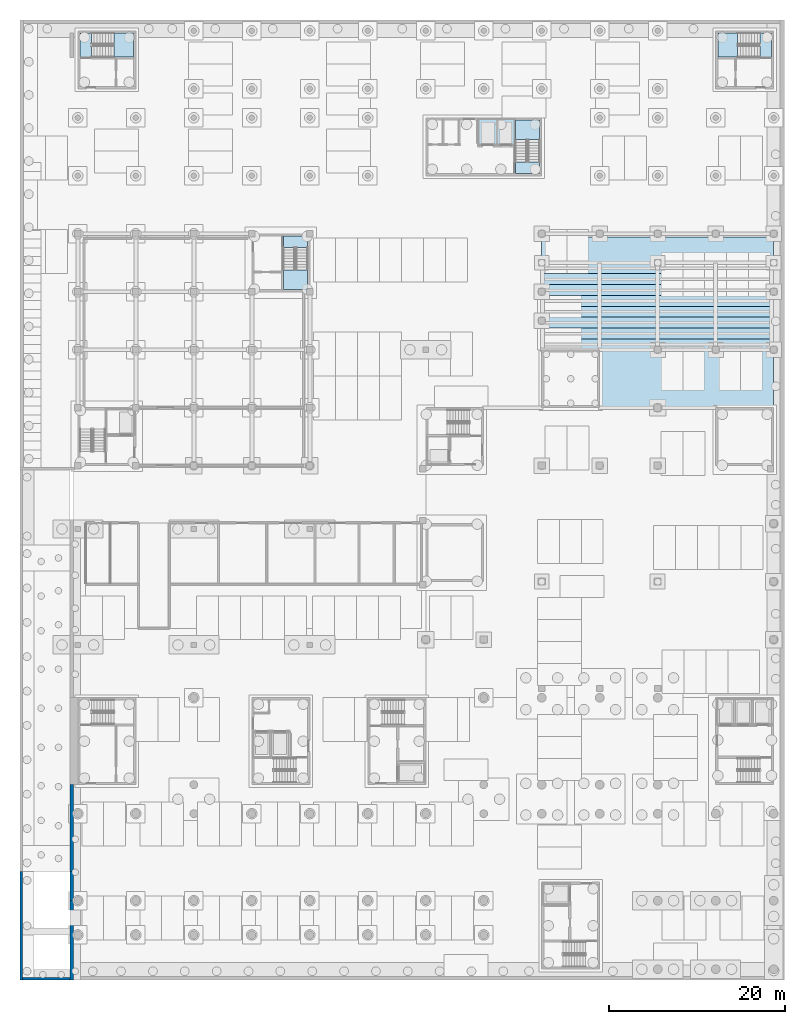
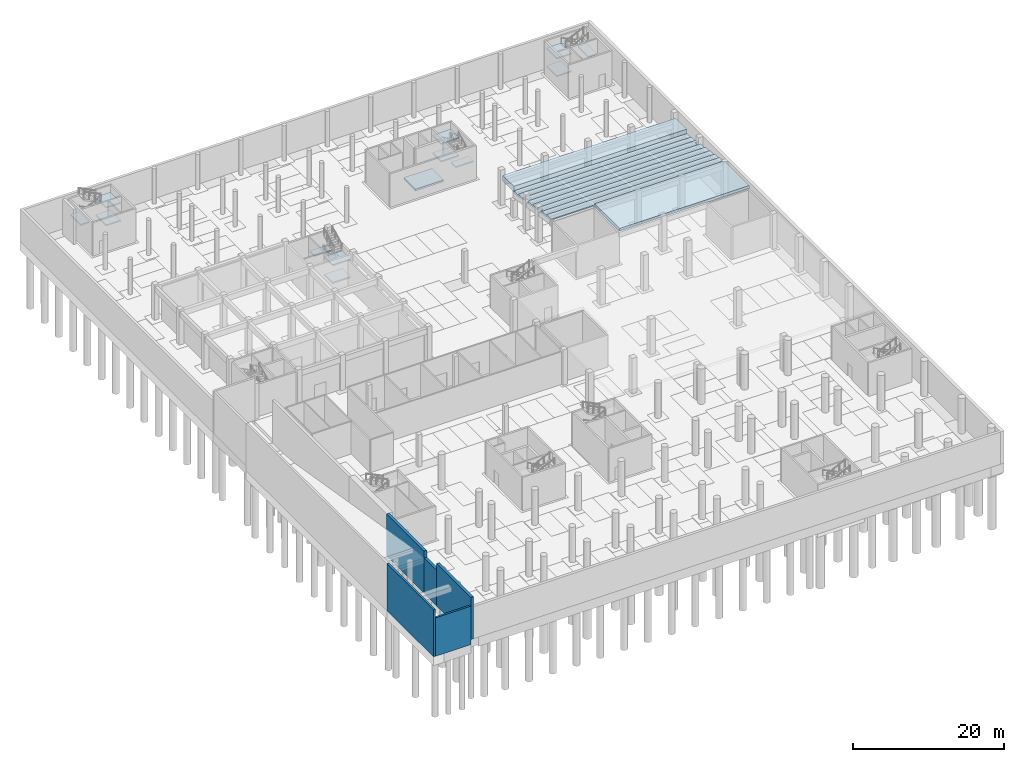
# One storey, part 9 of 38: 23 slabs, 5 walls, 4 elements without a shape of their own.
"""IFC4 building model written with IfcOpenShell, lengths in metres."""

from ifc_helpers import new_model, si_unit, direction, frame, frame_2d, origin, place, context, subcontext, project, spatial, polyline, rectangle, outline, extrude, material, layer, layer_set, type_object, element, aggregate, save


model = new_model("IFC4")

# Units and contexts
model_context = context("Model", 3, precision=1e-05, world=origin(), true_north=direction((0.0, 1.0)))
body_context = subcontext(model_context, "Body", "Model", "MODEL_VIEW")
ifc_project = project(units=[si_unit("LENGTHUNIT", "METRE"), si_unit("AREAUNIT", "SQUARE_METRE"), si_unit("VOLUMEUNIT", "CUBIC_METRE"), si_unit("PLANEANGLEUNIT", "RADIAN"), si_unit("MASSUNIT", "GRAM", prefix="KILO")], contexts=[model_context])

# Site, building, storey
site_placement = place(None, origin())
site = spatial("IfcSite", under=ifc_project, at=site_placement, CompositionType="ELEMENT")
building_placement = place(site_placement, origin())
building = spatial("IfcBuilding", under=site, at=building_placement, Name="Lantern Court Research Institute", CompositionType="ELEMENT")
storey_placement = place(building_placement, frame((0.0, 0.0, -5.699951171875)))
storey = spatial("IfcBuildingStorey", under=building, at=storey_placement, Name="B1", CompositionType="ELEMENT", Elevation=-5.699951171875)

# Slabs
ifc_material_1 = material(Name="Concrete C35/45", Category="concrete")
ifc_layer_1 = layer(ifc_material_1, 0.199951171875)
ifc_layer_set_1 = layer_set([ifc_layer_1], Name="Concrete C35/45")
slab_type_1 = type_object("IfcSlabType", Name="Auditorium step slab 200", PredefinedType="FLOOR", material=ifc_layer_set_1)
slab_1_placement = place(storey_placement, frame((0.0, 0.0, 5.300048828125)))
element("IfcSlab", 1, at=slab_1_placement, inside=storey, type_object=slab_type_1, Name="Auditorium floor, row 8", PredefinedType="FLOOR", context=body_context, shape_type="SweptSolid", body=[
    extrude(outline(polyline([(65.639892578125, 63.06005859375), (65.639892578125, 62.699951171875), (52.800048828125, 62.699951171875), (52.800048828125, 63.9375), (79.199951171875, 63.9375), (79.199951171875, 63.06005859375), (78.840087890625, 63.06005859375), (78.840087890625, 62.699951171875), (72.9599609375, 62.699951171875), (72.9599609375, 63.06005859375), (72.239990234375, 63.06005859375), (72.239990234375, 62.699951171875), (66.360107421875, 62.699951171875), (66.360107421875, 63.06005859375), (65.639892578125, 63.06005859375)])), origin(), (0.0, 0.0, 1.0), 0.199951171875),
])
slab_2_placement = place(storey_placement, frame((0.0, 0.0, 5.099853515625)))
element("IfcSlab", 2, at=slab_2_placement, inside=storey, type_object=slab_type_1, Name="Auditorium floor, row 7", PredefinedType="FLOOR", context=body_context, shape_type="SweptSolid", body=[
    extrude(outline(polyline([(79.199951171875, 65.175048828125), (79.199951171875, 63.9375), (52.800048828125, 63.9375), (52.800048828125, 65.175048828125), (79.199951171875, 65.175048828125)])), origin(), (0.0, 0.0, 1.0), 0.2001953125),
])
slab_3_placement = place(storey_placement, frame((0.0, 0.0, 4.89990234375)))
element("IfcSlab", 3, at=slab_3_placement, inside=storey, type_object=slab_type_1, Name="Auditorium floor, row 6", PredefinedType="FLOOR", context=body_context, shape_type="SweptSolid", body=[
    extrude(outline(polyline([(79.199951171875, 66.41259765625), (79.199951171875, 65.175048828125), (52.800048828125, 65.175048828125), (52.800048828125, 65.639892578125), (53.159912109375, 65.639892578125), (53.159912109375, 66.360107421875), (52.800048828125, 66.360107421875), (52.800048828125, 66.41259765625), (79.199951171875, 66.41259765625)])), origin(), (0.0, 0.0, 1.0), 0.199951171875),
])
slab_4_placement = place(storey_placement, frame((0.0, 0.0, 4.699951171875)))
element("IfcSlab", 4, at=slab_4_placement, inside=storey, type_object=slab_type_1, Name="Auditorium floor, row 5", PredefinedType="FLOOR", context=body_context, shape_type="SweptSolid", body=[
    extrude(outline(polyline([(79.199951171875, 67.64990234375), (79.199951171875, 66.41259765625), (52.800048828125, 66.41259765625), (52.800048828125, 67.64990234375), (79.199951171875, 67.64990234375)])), origin(), (0.0, 0.0, 1.0), 0.199951171875),
])
slab_5_placement = place(storey_placement, frame((0.0, 0.0, 4.5)))
element("IfcSlab", 5, at=slab_5_placement, inside=storey, type_object=slab_type_1, Name="Auditorium floor, row 4", PredefinedType="FLOOR", context=body_context, shape_type="SweptSolid", body=[
    extrude(outline(polyline([(79.199951171875, 68.887451171875), (79.199951171875, 67.64990234375), (52.800048828125, 67.64990234375), (52.800048828125, 68.887451171875), (79.199951171875, 68.887451171875)])), origin(), (0.0, 0.0, 1.0), 0.199951171875),
])
slab_6_placement = place(storey_placement, frame((0.0, 0.0, 4.300048828125)))
element("IfcSlab", 6, at=slab_6_placement, inside=storey, type_object=slab_type_1, Name="Auditorium floor, row 3", PredefinedType="FLOOR", context=body_context, shape_type="SweptSolid", body=[
    extrude(outline(polyline([(79.199951171875, 68.93994140625), (79.199951171875, 68.887451171875), (52.800048828125, 68.887451171875), (52.800048828125, 68.93994140625), (53.159912109375, 68.93994140625), (53.159912109375, 69.659912109375), (52.800048828125, 69.659912109375), (52.800048828125, 70.125), (79.199951171875, 70.125), (79.199951171875, 69.659912109375), (78.840087890625, 69.659912109375), (78.840087890625, 68.93994140625), (79.199951171875, 68.93994140625)])), origin(), (0.0, 0.0, 1.0), 0.199951171875),
])
slab_7_placement = place(storey_placement, frame((0.0, 0.0, 4.099853515625)))
element("IfcSlab", 7, at=slab_7_placement, inside=storey, type_object=slab_type_1, Name="Auditorium floor, row 2", PredefinedType="FLOOR", context=body_context, shape_type="SweptSolid", body=[
    extrude(outline(polyline([(79.199951171875, 71.362548828125), (79.199951171875, 70.125), (52.800048828125, 70.125), (52.800048828125, 71.362548828125), (79.199951171875, 71.362548828125)])), origin(), (0.0, 0.0, 1.0), 0.2001953125),
])
slab_8_placement = place(storey_placement, frame((0.0, 0.0, 3.89990234375)))
element("IfcSlab", 8, at=slab_8_placement, inside=storey, type_object=slab_type_1, Name="Auditorium floor, row 1", PredefinedType="FLOOR", context=body_context, shape_type="SweptSolid", body=[
    extrude(outline(polyline([(79.199951171875, 72.60009765625), (79.199951171875, 71.362548828125), (52.800048828125, 71.362548828125), (52.800048828125, 72.60009765625), (79.199951171875, 72.60009765625)])), origin(), (0.0, 0.0, 1.0), 0.199951171875),
])
ifc_material_2 = material(Name="Concrete C35/45", Category="concrete")
ifc_layer_2 = layer(ifc_material_2, 0.449951171875)
ifc_layer_set_2 = layer_set([ifc_layer_2], Name="Concrete C35/45")
slab_type_2 = type_object("IfcSlabType", Name="Hall ground floor slab 450", PredefinedType="FLOOR", material=ifc_layer_set_2)
slab_9_placement = place(storey_placement, frame((0.0, 0.0, 5.25)))
element("IfcSlab", 9, at=slab_9_placement, inside=storey, type_object=slab_type_2, Name="Theatre foyer floor slab", PredefinedType="FLOOR", context=body_context, shape_type="SweptSolid", body=[
    extrude(outline(polyline([(79.199951171875, 62.699951171875), (79.199951171875, 56.10009765625), (59.39990234375, 56.10009765625), (59.39990234375, 62.699951171875), (79.199951171875, 62.699951171875)])), origin(), (0.0, 0.0, 1.0), 0.449951171875),
])
ifc_material_3 = material(Name="Concrete C30/37", Category="concrete")
ifc_layer_3 = layer(ifc_material_3, 0.300048828125)
ifc_layer_set_3 = layer_set([ifc_layer_3], Name="Concrete C30/37")
slab_type_3 = type_object("IfcSlabType", Name="RC lift pit slab 300", PredefinedType="BASESLAB", material=ifc_layer_set_3)
slab_10_placement = place(storey_placement, frame((0.0, 0.0, -1.5)))
element("IfcSlab", 10, at=slab_10_placement, inside=storey, type_object=slab_type_3, Name="Lift pit floor of core WC-M", PredefinedType="BASESLAB", context=body_context, shape_type="SweptSolid", body=[
    extrude(outline(polyline([(45.5, 85.949951171875), (49.800048828125, 85.949951171875), (49.800048828125, 89.050048828125), (45.5, 89.050048828125), (45.5, 85.949951171875)])), origin(), (0.0, 0.0, 1.0), 0.300048828125),
])

# Stair, slabs
ifc_material_4 = material(Name="Concrete C40/50", Category="concrete")
stair_type = type_object("IfcStairType", Name="RC half-turn stair 1300 wide, 5700 rise, 6100 shaft", PredefinedType="HALF_TURN_STAIR", material=ifc_material_4)
stair_1_placement = place(storey_placement, origin())
stair_1 = element("IfcStair", 11, at=stair_1_placement, inside=storey, type_object=stair_type, Name="B1 stair ST-W1", PredefinedType="HALF_TURN_STAIR")
ifc_material_5 = material(Name="Concrete C40/50", Category="concrete")
ifc_layer_4 = layer(ifc_material_5, 0.199951171875)
ifc_layer_set_4 = layer_set([ifc_layer_4], Name="Concrete C40/50")
slab_type_4 = type_object("IfcSlabType", Name="RC stair landing 200", PredefinedType="LANDING", material=ifc_layer_set_4)
slab_11_placement = place(storey_placement, frame((0.0, 0.0, 1.224853515625)))
slab_11 = element("IfcSlab", 12, at=slab_11_placement, type_object=slab_type_4, Name="ST-W1 landing 1", PredefinedType="LANDING", context=body_context, shape_type="SweptSolid", body=[
    extrude(outline(polyline([(4.110107421875, 96.0), (6.35009765625, 96.0), (6.35009765625, 98.75), (4.110107421875, 98.75), (4.110107421875, 96.0)])), origin(), (0.0, 0.0, 1.0), 0.2001953125),
])
slab_12_placement = place(storey_placement, frame((0.0, 0.0, 2.64990234375)))
slab_12 = element("IfcSlab", 13, at=slab_12_placement, type_object=slab_type_4, Name="ST-W1 landing 2", PredefinedType="LANDING", context=body_context, shape_type="SweptSolid", body=[
    extrude(outline(polyline([(0.25, 96.0), (1.550048828125, 96.0), (1.550048828125, 98.75), (0.25, 98.75), (0.25, 96.0)])), origin(), (0.0, 0.0, 1.0), 0.199951171875),
])
slab_13_placement = place(storey_placement, frame((0.0, 0.0, 4.074951171875)))
slab_13 = element("IfcSlab", 14, at=slab_13_placement, type_object=slab_type_4, Name="ST-W1 landing 3", PredefinedType="LANDING", context=body_context, shape_type="SweptSolid", body=[
    extrude(outline(polyline([(4.110107421875, 96.0), (6.35009765625, 96.0), (6.35009765625, 98.75), (4.110107421875, 98.75), (4.110107421875, 96.0)])), origin(), (0.0, 0.0, 1.0), 0.199951171875),
])
aggregate(stair_1, [slab_11, slab_12, slab_13])

stair_2_placement = place(storey_placement, origin())
stair_2 = element("IfcStair", 15, at=stair_2_placement, inside=storey, type_object=stair_type, Name="B1 stair ST-W2", PredefinedType="HALF_TURN_STAIR")
slab_14_placement = place(storey_placement, frame((0.0, 0.0, 1.224853515625)))
slab_14 = element("IfcSlab", 16, at=slab_14_placement, type_object=slab_type_4, Name="ST-W2 landing 1", PredefinedType="LANDING", context=body_context, shape_type="SweptSolid", body=[
    extrude(outline(polyline([(52.550048828125, 86.610107421875), (52.550048828125, 88.85009765625), (49.800048828125, 88.85009765625), (49.800048828125, 86.610107421875), (52.550048828125, 86.610107421875)])), origin(), (0.0, 0.0, 1.0), 0.2001953125),
])
slab_15_placement = place(storey_placement, frame((0.0, 0.0, 2.64990234375)))
slab_15 = element("IfcSlab", 17, at=slab_15_placement, type_object=slab_type_4, Name="ST-W2 landing 2", PredefinedType="LANDING", context=body_context, shape_type="SweptSolid", body=[
    extrude(outline(polyline([(52.550048828125, 82.75), (52.550048828125, 84.050048828125), (49.800048828125, 84.050048828125), (49.800048828125, 82.75), (52.550048828125, 82.75)])), origin(), (0.0, 0.0, 1.0), 0.199951171875),
])
slab_16_placement = place(storey_placement, frame((0.0, 0.0, 4.074951171875)))
slab_16 = element("IfcSlab", 18, at=slab_16_placement, type_object=slab_type_4, Name="ST-W2 landing 3", PredefinedType="LANDING", context=body_context, shape_type="SweptSolid", body=[
    extrude(outline(polyline([(52.550048828125, 86.610107421875), (52.550048828125, 88.85009765625), (49.800048828125, 88.85009765625), (49.800048828125, 86.610107421875), (52.550048828125, 86.610107421875)])), origin(), (0.0, 0.0, 1.0), 0.199951171875),
])
aggregate(stair_2, [slab_14, slab_15, slab_16])

stair_3_placement = place(storey_placement, origin())
stair_3 = element("IfcStair", 19, at=stair_3_placement, inside=storey, type_object=stair_type, Name="B1 stair ST-W3", PredefinedType="HALF_TURN_STAIR")
slab_17_placement = place(storey_placement, frame((0.0, 0.0, 1.224853515625)))
slab_17 = element("IfcSlab", 20, at=slab_17_placement, type_object=slab_type_4, Name="ST-W3 landing 1", PredefinedType="LANDING", context=body_context, shape_type="SweptSolid", body=[
    extrude(outline(polyline([(75.090087890625, 98.75), (72.85009765625, 98.75), (72.85009765625, 96.0), (75.090087890625, 96.0), (75.090087890625, 98.75)])), origin(), (0.0, 0.0, 1.0), 0.2001953125),
])
slab_18_placement = place(storey_placement, frame((0.0, 0.0, 2.64990234375)))
slab_18 = element("IfcSlab", 21, at=slab_18_placement, type_object=slab_type_4, Name="ST-W3 landing 2", PredefinedType="LANDING", context=body_context, shape_type="SweptSolid", body=[
    extrude(outline(polyline([(78.949951171875, 98.75), (77.64990234375, 98.75), (77.64990234375, 96.0), (78.949951171875, 96.0), (78.949951171875, 98.75)])), origin(), (0.0, 0.0, 1.0), 0.199951171875),
])
slab_19_placement = place(storey_placement, frame((0.0, 0.0, 4.074951171875)))
slab_19 = element("IfcSlab", 22, at=slab_19_placement, type_object=slab_type_4, Name="ST-W3 landing 3", PredefinedType="LANDING", context=body_context, shape_type="SweptSolid", body=[
    extrude(outline(polyline([(75.090087890625, 98.75), (72.85009765625, 98.75), (72.85009765625, 96.0), (75.090087890625, 96.0), (75.090087890625, 98.75)])), origin(), (0.0, 0.0, 1.0), 0.199951171875),
])
aggregate(stair_3, [slab_17, slab_18, slab_19])

stair_4_placement = place(storey_placement, origin())
stair_4 = element("IfcStair", 23, at=stair_4_placement, inside=storey, type_object=stair_type, Name="B1 stair ST-C2", PredefinedType="HALF_TURN_STAIR")
slab_20_placement = place(storey_placement, frame((0.0, 0.0, 1.224853515625)))
slab_20 = element("IfcSlab", 24, at=slab_20_placement, type_object=slab_type_4, Name="ST-C2 landing 1", PredefinedType="LANDING", context=body_context, shape_type="SweptSolid", body=[
    extrude(outline(polyline([(23.39990234375, 71.7900390625), (23.39990234375, 69.550048828125), (26.14990234375, 69.550048828125), (26.14990234375, 71.7900390625), (23.39990234375, 71.7900390625)])), origin(), (0.0, 0.0, 1.0), 0.2001953125),
])
slab_21_placement = place(storey_placement, frame((0.0, 0.0, 2.64990234375)))
slab_21 = element("IfcSlab", 25, at=slab_21_placement, type_object=slab_type_4, Name="ST-C2 landing 2", PredefinedType="LANDING", context=body_context, shape_type="SweptSolid", body=[
    extrude(outline(polyline([(23.39990234375, 75.64990234375), (23.39990234375, 74.35009765625), (26.14990234375, 74.35009765625), (26.14990234375, 75.64990234375), (23.39990234375, 75.64990234375)])), origin(), (0.0, 0.0, 1.0), 0.199951171875),
])
slab_22_placement = place(storey_placement, frame((0.0, 0.0, 4.074951171875)))
slab_22 = element("IfcSlab", 26, at=slab_22_placement, type_object=slab_type_4, Name="ST-C2 landing 3", PredefinedType="LANDING", context=body_context, shape_type="SweptSolid", body=[
    extrude(outline(polyline([(23.39990234375, 71.7900390625), (23.39990234375, 69.550048828125), (26.14990234375, 69.550048828125), (26.14990234375, 71.7900390625), (23.39990234375, 71.7900390625)])), origin(), (0.0, 0.0, 1.0), 0.199951171875),
])
aggregate(stair_4, [slab_20, slab_21, slab_22])

# Slab
ifc_material_6 = material(Name="Concrete C35/45", Category="concrete")
ifc_layer_5 = layer(ifc_material_6, 1.199951171875)
ifc_layer_set_5 = layer_set([ifc_layer_5], Name="Concrete C35/45")
slab_type_5 = type_object("IfcSlabType", Name="Stage platform slab 1200", PredefinedType="FLOOR", material=ifc_layer_set_5)
slab_23_placement = place(storey_placement, frame((0.0, 0.0, 3.889892578125)))
element("IfcSlab", 27, at=slab_23_placement, inside=storey, type_object=slab_type_5, Name="Stage platform", PredefinedType="FLOOR", context=body_context, shape_type="SweptSolid", body=[
    extrude(outline(polyline([(52.800048828125, 72.60009765625), (79.199951171875, 72.60009765625), (79.199951171875, 75.550048828125), (52.800048828125, 75.550048828125), (52.800048828125, 72.60009765625)])), origin(), (0.0, 0.0, 1.0), 0.91015625),
])

# Walls
ifc_material_7 = material(Name="Concrete C30/37", Category="concrete")
ifc_layer_6 = layer(ifc_material_7, 0.300048828125)
ifc_layer_set_6 = layer_set([ifc_layer_6], Name="Concrete C30/37")
wall_type_1 = type_object("IfcWallType", Name="Ramp wall 300", PredefinedType="SOLIDWALL", material=ifc_layer_set_6)
wall_1_placement = place(storey_placement, frame((-6.429931640625, -9.030029296875, -0.800048828125), z_axis=(0.0, 0.0, 1.0), x_axis=(0.0, 1.0, 0.0)))
element("IfcWall", 28, at=wall_1_placement, inside=storey, type_object=wall_type_1, Name="RW11", PredefinedType="SOLIDWALL", context=body_context, shape_type="SweptSolid", body=[
    extrude(rectangle(XDim=12.330078125, YDim=0.300048828125, at=frame_2d((6.1650390625, 0.0))), origin(), (0.0, 0.0, 1.0), 7.60009765625),
])
wall_2_placement = place(storey_placement, frame((-6.280029296875, -8.8798828125, -0.800048828125), z_axis=(0.0, 0.0, 1.0), x_axis=(1.0, 0.0, 0.0)))
element("IfcWall", 29, at=wall_2_placement, inside=storey, type_object=wall_type_1, Name="RW12", PredefinedType="SOLIDWALL", context=body_context, shape_type="SweptSolid", body=[
    extrude(rectangle(XDim=5.380126953125, YDim=0.300048828125, at=frame_2d((2.68994140625, 0.0))), origin(), (0.0, 0.0, 1.0), 6.199951171875),
])
ifc_material_8 = material(Name="Concrete C30/37", Category="concrete")
ifc_layer_7 = layer(ifc_material_8, 0.39990234375)
ifc_layer_set_7 = layer_set([ifc_layer_7], Name="Concrete C30/37")
wall_type_2 = type_object("IfcWallType", Name="Retaining wall 400", PredefinedType="SOLIDWALL", material=ifc_layer_set_7)
wall_3_placement = place(storey_placement, frame((-0.699951171875, -9.030029296875, 0.0), z_axis=(0.0, 0.0, 1.0), x_axis=(0.0, 1.0, 0.0)))
element("IfcWall", 30, at=wall_3_placement, inside=storey, type_object=wall_type_2, Name="RW5", PredefinedType="SOLIDWALL", context=body_context, shape_type="SweptSolid", body=[
    extrude(rectangle(XDim=9.030029296875, YDim=0.39990234375, at=frame_2d((4.51513671875, 0.0))), origin(), (0.0, 0.0, 1.0), 6.800048828125),
])
wall_4_placement = place(storey_placement, frame((-0.699951171875, 3.300048828125, 0.0), z_axis=(0.0, 0.0, 1.0), x_axis=(0.0, 1.0, 0.0)))
element("IfcWall", 31, at=wall_4_placement, inside=storey, type_object=wall_type_2, Name="RW6", PredefinedType="SOLIDWALL", context=body_context, shape_type="SweptSolid", body=[
    extrude(rectangle(XDim=9.89990234375, YDim=0.39990234375, at=frame_2d((4.949951171875, 0.0))), origin(), (0.0, 0.0, 1.0), 6.800048828125),
])
wall_5_placement = place(storey_placement, frame((-0.699951171875, 0.0, 0.0), z_axis=(0.0, 0.0, 1.0), x_axis=(0.0, 1.0, 0.0)))
element("IfcWall", 32, at=wall_5_placement, inside=storey, type_object=wall_type_2, Name="RW8", PredefinedType="SOLIDWALL", context=body_context, shape_type="SweptSolid", body=[
    extrude(rectangle(XDim=3.300048828125, YDim=0.39990234375, at=frame_2d((1.64990234375, 0.0))), origin(), (0.0, 0.0, 1.0), 5.699951171875),
])

save(model, "model.ifc")
